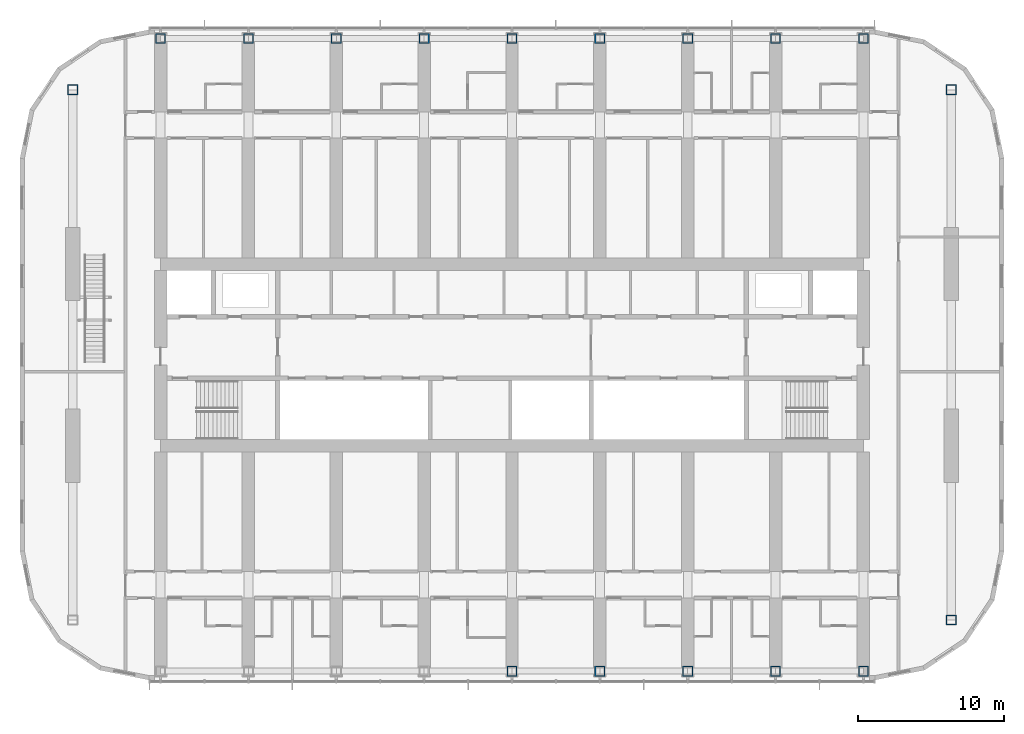
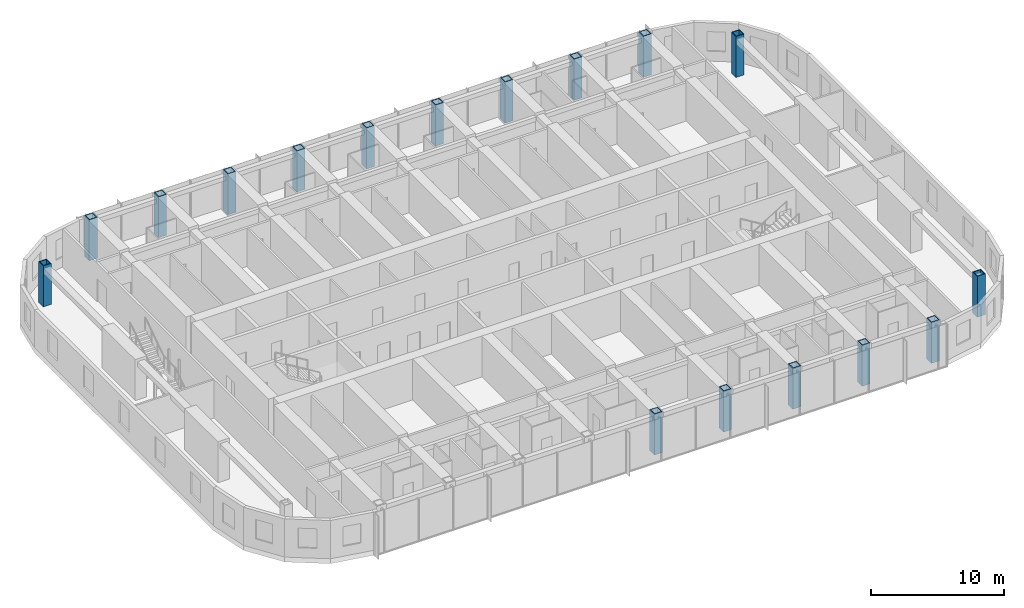
# One storey, part 3 of 28: 17 columns.
"""IFC4 building model written with IfcOpenShell, lengths in metres."""

from ifc_helpers import new_model, si_unit, direction, frame, origin, origin_2d, place, context, subcontext, project, spatial, hollow_rectangle, extrude, material, material_profile, profile_set, type_object, element, save


model = new_model("IFC4")

# Units and contexts
model_context = context("Model", 3, precision=1e-05, world=origin(), true_north=direction((0.0, 1.0)))
body_context = subcontext(model_context, "Body", "Model", "MODEL_VIEW")
ifc_project = project(units=[si_unit("LENGTHUNIT", "METRE"), si_unit("AREAUNIT", "SQUARE_METRE"), si_unit("VOLUMEUNIT", "CUBIC_METRE"), si_unit("PLANEANGLEUNIT", "RADIAN"), si_unit("MASSUNIT", "GRAM", prefix="KILO")], contexts=[model_context])

# Site, building, storey
site_placement = place(None, origin())
site = spatial("IfcSite", under=ifc_project, at=site_placement, CompositionType="ELEMENT")
building_placement = place(site_placement, origin())
building = spatial("IfcBuilding", under=site, at=building_placement, Name="Orbita Commons", CompositionType="ELEMENT")
storey_placement = place(building_placement, frame((0.0, 0.0, 193.60009765625)))
storey = spatial("IfcBuildingStorey", under=building, at=storey_placement, Name="L48", CompositionType="ELEMENT", Elevation=193.60009765625)

# Columns
ifc_material = material(Name="Steel ASTM A572 Gr 50 welded plate", Category="steel")
ifc_material_profile = material_profile(ifc_material, hollow_rectangle(XDim=0.699951171875, YDim=0.699951171875, WallThickness=0.070068359375, at=origin_2d()), Name="BOX 700x700x70")
ifc_profile_set = profile_set([ifc_material_profile], Name="Steel ASTM A572 Gr 50 welded plate")
column_type = type_object("IfcColumnType", Name="Steel column BOX 700x700x70", PredefinedType="COLUMN", material=ifc_profile_set)
for number, where, z_axis, x_axis, name in (
    (1, (18.0, 53.60009765625, 0.0), (0.0, 0.0, 1.0), (1.0, 0.0, 0.0), "Column 4/E L48"),
    (2, (24.0, 53.60009765625, 0.0), (0.0, 0.0, 1.0), (1.0, 0.0, 0.0), "Column 5/E L48"),
    (3, (30.0, 53.60009765625, 0.0), (0.0, 0.0, 1.0), (1.0, 0.0, 0.0), "Column 6/E L48"),
    (4, (36.0, 53.60009765625, 0.0), (0.0, 0.0, 1.0), (1.0, 0.0, 0.0), "Column 7/E L48"),
    (5, (42.0, 10.39990234375, 0.0), (0.0, 0.0, 1.0), (1.0, 0.0, 0.0), "Column 8/B L48"),
    (6, (42.0, 53.60009765625, 0.0), (0.0, 0.0, 1.0), (1.0, 0.0, 0.0), "Column 8/E L48"),
    (7, (48.0, 10.39990234375, 0.0), (0.0, 0.0, 1.0), (1.0, 0.0, 0.0), "Column 9/B L48"),
    (8, (48.0, 53.60009765625, 0.0), (0.0, 0.0, 1.0), (1.0, 0.0, 0.0), "Column 9/E L48"),
    (9, (54.0, 10.39990234375, 0.0), (0.0, 0.0, 1.0), (1.0, 0.0, 0.0), "Column 10/B L48"),
    (10, (54.0, 53.60009765625, 0.0), (0.0, 0.0, 1.0), (1.0, 0.0, 0.0), "Column 10/E L48"),
    (11, (60.0, 10.39990234375, 0.0), (0.0, 0.0, 1.0), (1.0, 0.0, 0.0), "Column 11/B L48"),
    (12, (60.0, 53.60009765625, 0.0), (0.0, 0.0, 1.0), (1.0, 0.0, 0.0), "Column 11/E L48"),
    (13, (66.0, 10.39990234375, 0.0), (0.0, 0.0, 1.0), (1.0, 0.0, 0.0), "Column 12/B L48"),
    (14, (66.0, 53.60009765625, 0.0), (0.0, 0.0, 1.0), (1.0, 0.0, 0.0), "Column 12/E L48"),
    (15, (12.0, 50.10009765625, 0.0), (0.0, 0.0, 1.0), (1.0, 0.0, 0.0), "Column 3/50.1 L48"),
    (16, (72.0, 13.89990234375, 0.0), (0.0, 0.0, 1.0), (1.0, 0.0, 0.0), "Column 13/13.9 L48"),
    (17, (72.0, 50.10009765625, 0.0), (0.0, 0.0, 1.0), (1.0, 0.0, 0.0), "Column 13/50.1 L48"),
):
    element("IfcColumn", number, at=place(storey_placement, frame(where, z_axis=z_axis, x_axis=x_axis)), inside=storey, type_object=column_type, Name=name, PredefinedType="COLUMN", context=body_context, shape_type="SweptSolid", body=[
        extrude(hollow_rectangle(XDim=0.699951171875, YDim=0.699951171875, WallThickness=0.070068359375, at=origin_2d()), origin(), (0.0, 0.0, 1.0), 3.75),
    ])

save(model, "model.ifc")
